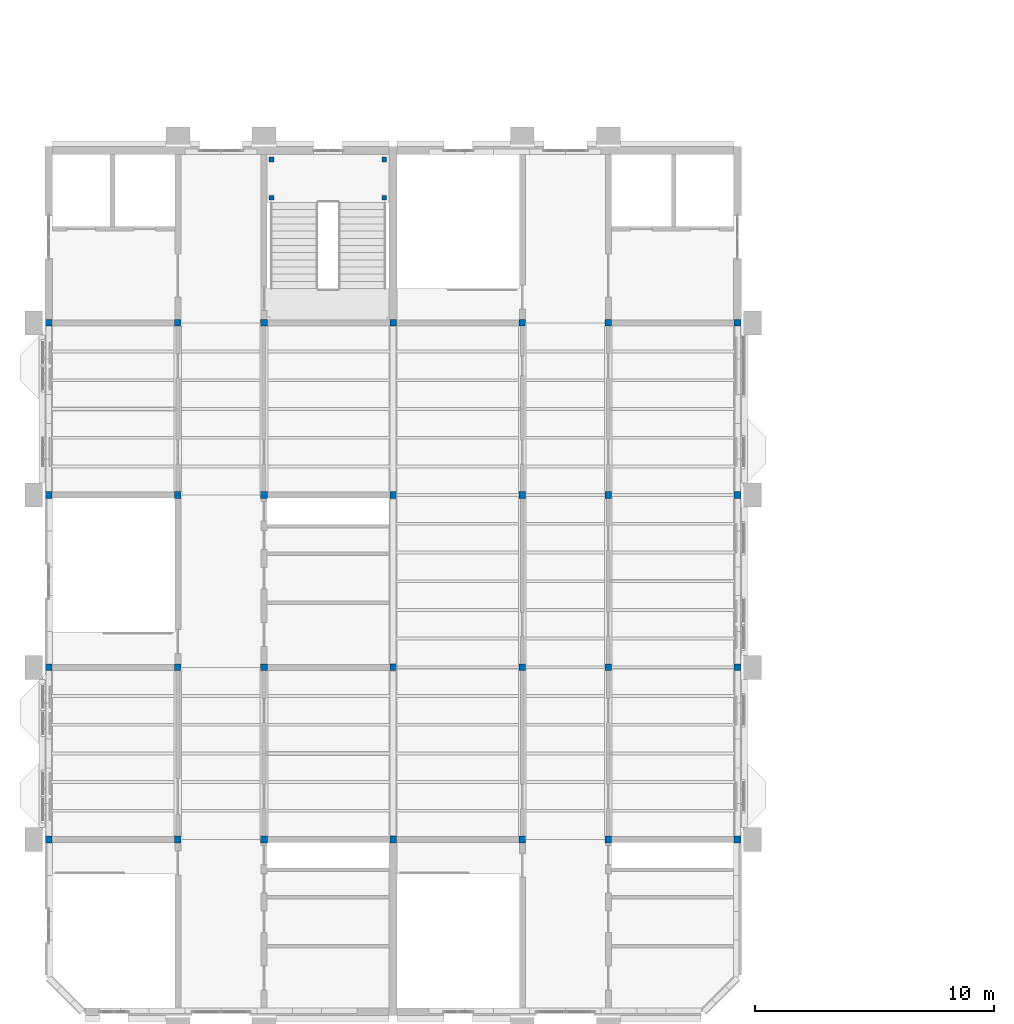
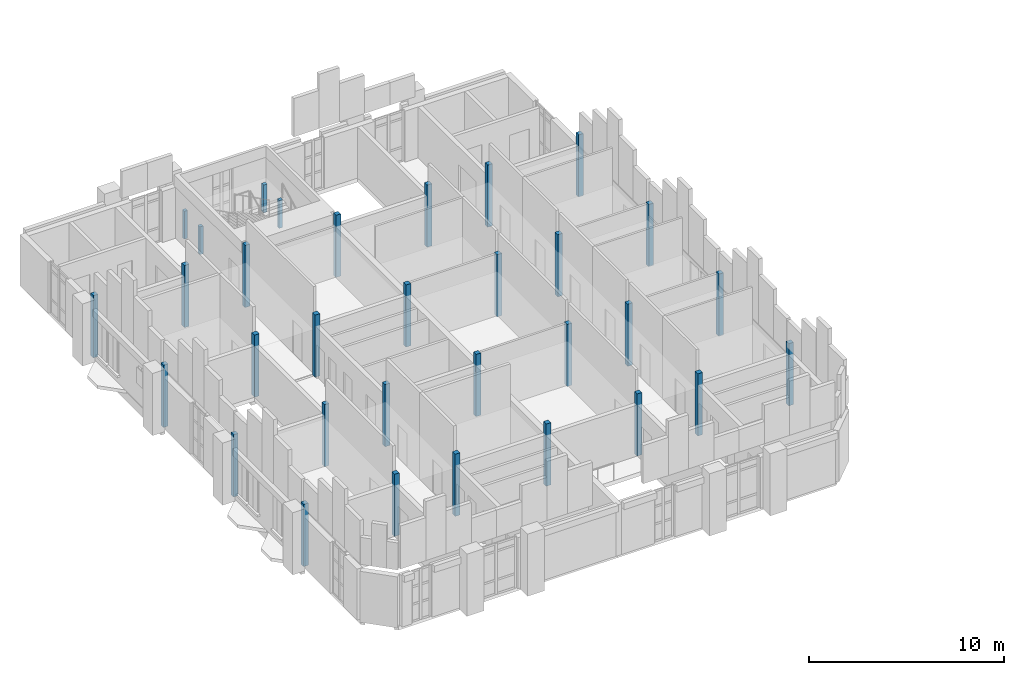
# One storey, part 1 of 51: 32 columns.
"""IFC4 building model written with IfcOpenShell, lengths in metres."""

from ifc_helpers import new_model, si_unit, direction, frame, origin, origin_2d, place, context, subcontext, project, spatial, rectangle, extrude, material, material_profile, profile_set, type_object, element, save


model = new_model("IFC4")

# Units and contexts
model_context = context("Model", 3, precision=1e-05, world=origin(), true_north=direction((0.0, 1.0)))
body_context = subcontext(model_context, "Body", "Model", "MODEL_VIEW")
ifc_project = project(units=[si_unit("LENGTHUNIT", "METRE"), si_unit("AREAUNIT", "SQUARE_METRE"), si_unit("VOLUMEUNIT", "CUBIC_METRE"), si_unit("PLANEANGLEUNIT", "RADIAN"), si_unit("MASSUNIT", "GRAM", prefix="KILO")], contexts=[model_context])

# Site, building, storey
site_placement = place(None, origin())
site = spatial("IfcSite", under=ifc_project, at=site_placement, CompositionType="ELEMENT")
building_placement = place(site_placement, origin())
building = spatial("IfcBuilding", under=site, at=building_placement, Name="Mazhai Court Health Centre", CompositionType="ELEMENT")
storey_placement = place(building_placement, frame((0.0, 0.0, 14.10009765625)))
storey = spatial("IfcBuildingStorey", under=building, at=storey_placement, Name="L03", CompositionType="ELEMENT", Elevation=14.10009765625)

# Columns
ifc_material_1 = material(Name="Glulam GL28h", Category="wood")
ifc_material_profile_1 = material_profile(ifc_material_1, rectangle(XDim=0.280029296875, YDim=0.280029296875, at=origin_2d()), Name="GL28h 280x280")
ifc_profile_set_1 = profile_set([ifc_material_profile_1], Name="Glulam GL28h")
column_type_1 = type_object("IfcColumnType", Name="GL28h 280x280 column", PredefinedType="COLUMN", material=ifc_profile_set_1)
for number, where, z_axis, x_axis, name in (
    (1, (6.199951171875, 13.39990234375, 0.0), (0.0, 0.0, 1.0), (1.0, 0.0, 0.0), "col-V2-L03-01-A"),
    (2, (11.60009765625, 13.39990234375, 0.0), (0.0, 0.0, 1.0), (1.0, 0.0, 0.0), "col-V2-L03-01-B"),
    (3, (15.199951171875, 13.39990234375, 0.0), (0.0, 0.0, 1.0), (1.0, 0.0, 0.0), "col-V2-L03-01-C"),
    (4, (20.60009765625, 13.39990234375, 0.0), (0.0, 0.0, 1.0), (1.0, 0.0, 0.0), "col-V2-L03-01-D"),
    (5, (6.199951171875, 20.60009765625, 0.0), (0.0, 0.0, 1.0), (1.0, 0.0, 0.0), "col-V2-L03-02-A"),
    (6, (11.60009765625, 20.60009765625, 0.0), (0.0, 0.0, 1.0), (1.0, 0.0, 0.0), "col-V2-L03-02-B"),
    (7, (15.199951171875, 20.60009765625, 0.0), (0.0, 0.0, 1.0), (1.0, 0.0, 0.0), "col-V2-L03-02-C"),
    (8, (20.60009765625, 20.60009765625, 0.0), (0.0, 0.0, 1.0), (1.0, 0.0, 0.0), "col-V2-L03-02-D"),
    (9, (6.199951171875, 27.800048828125, 0.0), (0.0, 0.0, 1.0), (1.0, 0.0, 0.0), "col-V2-L03-03-A"),
    (10, (11.60009765625, 27.800048828125, 0.0), (0.0, 0.0, 1.0), (1.0, 0.0, 0.0), "col-V2-L03-03-B"),
    (11, (15.199951171875, 27.800048828125, 0.0), (0.0, 0.0, 1.0), (1.0, 0.0, 0.0), "col-V2-L03-03-C"),
    (12, (20.60009765625, 27.800048828125, 0.0), (0.0, 0.0, 1.0), (1.0, 0.0, 0.0), "col-V2-L03-03-D"),
    (13, (6.199951171875, 35.0, 0.0), (0.0, 0.0, 1.0), (1.0, 0.0, 0.0), "col-V2-L03-04-A"),
    (14, (11.60009765625, 35.0, 0.0), (0.0, 0.0, 1.0), (1.0, 0.0, 0.0), "col-V2-L03-04-B"),
    (15, (15.199951171875, 35.0, 0.0), (0.0, 0.0, 1.0), (1.0, 0.0, 0.0), "col-V2-L03-04-C"),
    (16, (20.60009765625, 35.0, 0.0), (0.0, 0.0, 1.0), (1.0, 0.0, 0.0), "col-V2-L03-04-D"),
    (17, (26.0, 13.39990234375, 0.0), (0.0, 0.0, 1.0), (1.0, 0.0, 0.0), "col-V5-L03-01-B"),
    (18, (29.60009765625, 13.39990234375, 0.0), (0.0, 0.0, 1.0), (1.0, 0.0, 0.0), "col-V5-L03-01-C"),
    (19, (35.0, 13.39990234375, 0.0), (0.0, 0.0, 1.0), (1.0, 0.0, 0.0), "col-V5-L03-01-D"),
    (20, (26.0, 20.60009765625, 0.0), (0.0, 0.0, 1.0), (1.0, 0.0, 0.0), "col-V5-L03-02-B"),
    (21, (29.60009765625, 20.60009765625, 0.0), (0.0, 0.0, 1.0), (1.0, 0.0, 0.0), "col-V5-L03-02-C"),
    (22, (35.0, 20.60009765625, 0.0), (0.0, 0.0, 1.0), (1.0, 0.0, 0.0), "col-V5-L03-02-D"),
    (23, (26.0, 27.800048828125, 0.0), (0.0, 0.0, 1.0), (1.0, 0.0, 0.0), "col-V5-L03-03-B"),
    (24, (29.60009765625, 27.800048828125, 0.0), (0.0, 0.0, 1.0), (1.0, 0.0, 0.0), "col-V5-L03-03-C"),
    (25, (35.0, 27.800048828125, 0.0), (0.0, 0.0, 1.0), (1.0, 0.0, 0.0), "col-V5-L03-03-D"),
    (26, (26.0, 35.0, 0.0), (0.0, 0.0, 1.0), (1.0, 0.0, 0.0), "col-V5-L03-04-B"),
    (27, (29.60009765625, 35.0, 0.0), (0.0, 0.0, 1.0), (1.0, 0.0, 0.0), "col-V5-L03-04-C"),
    (28, (35.0, 35.0, 0.0), (0.0, 0.0, 1.0), (1.0, 0.0, 0.0), "col-V5-L03-04-D"),
):
    element("IfcColumn", number, at=place(storey_placement, frame(where, z_axis=z_axis, x_axis=x_axis)), inside=storey, type_object=column_type_1, Name=name, PredefinedType="COLUMN", context=body_context, shape_type="SweptSolid", body=[
        extrude(rectangle(XDim=0.280029296875, YDim=0.280029296875, at=origin_2d()), origin(), (0.0, 0.0, 1.0), 3.89990234375),
    ])
ifc_material_2 = material(Name="Concrete M40", Category="concrete")
ifc_material_profile_2 = material_profile(ifc_material_2, rectangle(XDim=0.199951171875, YDim=0.199951171875, at=origin_2d()), Name="RC 200x200")
ifc_profile_set_2 = profile_set([ifc_material_profile_2], Name="Concrete M40")
column_type_2 = type_object("IfcColumnType", Name="RC STAIR LANDING POST 200 M40", PredefinedType="COLUMN", material=ifc_profile_set_2)
for number, where, z_axis, x_axis, name in (
    (29, (15.52001953125, 41.830078125, 0.0), (0.0, 0.0, 1.0), (1.0, 0.0, 0.0), "post-ST3-05"),
    (30, (20.22998046875, 41.830078125, 0.0), (0.0, 0.0, 1.0), (1.0, 0.0, 0.0), "post-ST3-10"),
    (31, (15.52001953125, 40.22998046875, 0.0), (0.0, 0.0, 1.0), (1.0, 0.0, 0.0), "post-ST3-18"),
    (32, (20.22998046875, 40.22998046875, 0.0), (0.0, 0.0, 1.0), (1.0, 0.0, 0.0), "post-ST3-22"),
):
    element("IfcColumn", number, at=place(storey_placement, frame(where, z_axis=z_axis, x_axis=x_axis)), inside=storey, type_object=column_type_2, Name=name, PredefinedType="COLUMN", context=body_context, shape_type="SweptSolid", body=[
        extrude(rectangle(XDim=0.199951171875, YDim=0.199951171875, at=origin_2d()), origin(), (0.0, 0.0, 1.0), 1.75),
    ])

save(model, "model.ifc")
